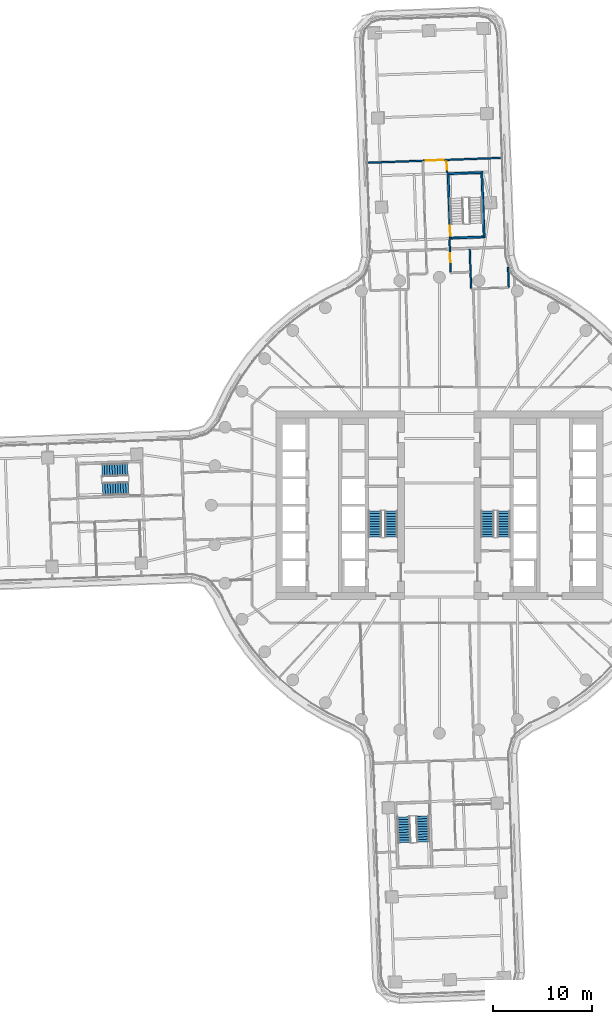
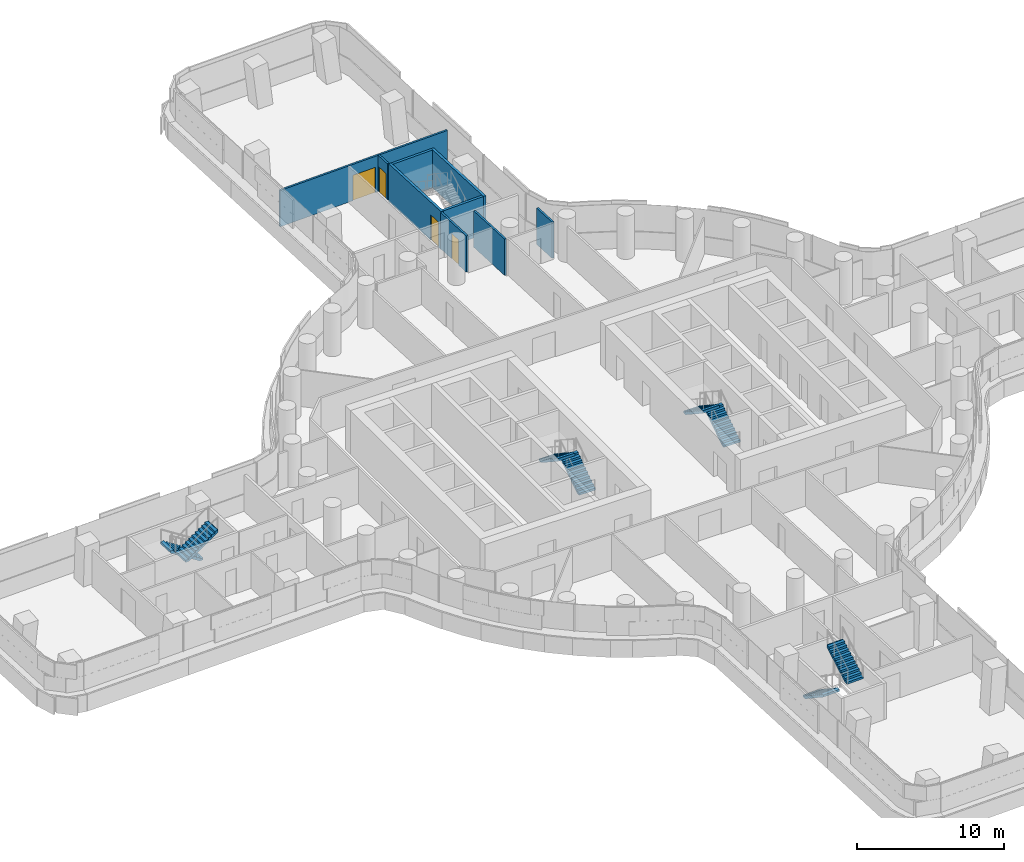
# One storey, part 23 of 31: 9 walls, 8 stair flights, 4 doors, 4 openings, 4 elements without a shape of their own.
"""IFC4 building model written with IfcOpenShell, lengths in metres."""

from ifc_helpers import new_model, si_unit, direction, frame, frame_2d, origin, place, context, subcontext, project, spatial, polyline, rectangle, outline, extrude, material, layer, layer_set, type_object, element, fill, aggregate, save


model = new_model("IFC4")

# Units and contexts
model_context = context("Model", 3, precision=1e-05, world=origin(), true_north=direction((0.0, 1.0)))
body_context = subcontext(model_context, "Body", "Model", "MODEL_VIEW")
ifc_project = project(units=[si_unit("LENGTHUNIT", "METRE"), si_unit("AREAUNIT", "SQUARE_METRE"), si_unit("VOLUMEUNIT", "CUBIC_METRE"), si_unit("PLANEANGLEUNIT", "RADIAN"), si_unit("MASSUNIT", "GRAM", prefix="KILO")], contexts=[model_context])

# Site, building, storey
site_placement = place(None, origin())
site = spatial("IfcSite", under=ifc_project, at=site_placement, CompositionType="ELEMENT")
building_placement = place(site_placement, origin())
building = spatial("IfcBuilding", under=site, at=building_placement, Name="Tamarind Cross Interchange Tower", CompositionType="ELEMENT")
storey_placement = place(building_placement, frame((0.0, 0.0, 41.5)))
storey = spatial("IfcBuildingStorey", under=building, at=storey_placement, Name="L08", CompositionType="ELEMENT", Elevation=41.5)

# Wall, opening, door
ifc_material_1 = material(Name="Gypsum board partition on steel studs", Category="steel")
ifc_layer_1 = layer(ifc_material_1, 0.14990234375)
ifc_layer_set_1 = layer_set([ifc_layer_1], Name="Gypsum board partition on steel studs")
wall_type_1 = type_object("IfcWallType", Name="Partition 150 mm EI 120", PredefinedType="PARTITIONING", material=ifc_layer_set_1)
wall_1_placement = place(storey_placement, frame((0.734130859375, 34.77490234375, 0.0), z_axis=(0.0, 0.0, 1.0), x_axis=(0.036642721002, -0.999328429996, 0.0)))
wall_1 = element("IfcWall", 1, at=wall_1_placement, inside=storey, type_object=wall_type_1, Name="Partition L08-018", PredefinedType="PARTITIONING", context=body_context, shape_type="SweptSolid", body=[
    extrude(rectangle(XDim=1.19921875, YDim=0.14990234375, at=frame_2d((0.599609375, 0.0))), origin(), (0.0, 0.0, 1.0), 3.010009765625),
])
opening_1_placement = place(wall_1_placement, frame((0.090087890625, 0.0, 0.0)))
opening_1 = element("IfcOpeningElement", 2, at=opening_1_placement, cuts=wall_1, Name="Opening D08", PredefinedType="OPENING", context=body_context, shape_type="SweptSolid", body=[
    extrude(rectangle(XDim=0.89990234375, YDim=2.10009765625, at=frame_2d((0.449951171875, 1.050048828125))), frame((0.0, 0.0849609375, 0.0), z_axis=(0.0, -1.0, 0.0), x_axis=(1.0, 0.0, 0.0)), (0.0, 0.0, 1.0), 0.169921875),
])
ifc_material_2 = material(Name="Fire-resisting door set")
door_type_1 = type_object("IfcDoorType", Name="Interior door 900 x 2100 FD60S", OperationType="SINGLE_SWING_LEFT", PredefinedType="DOOR", material=ifc_material_2)
door_1_placement = place(opening_1_placement, origin())
door_1 = element("IfcDoor", 3, at=door_1_placement, inside=storey, type_object=door_type_1, Name="Door D08", OperationType="SINGLE_SWING_RIGHT", OverallHeight=2.10009765625, OverallWidth=0.89990234375, PredefinedType="DOOR", context=body_context, shape_type="SweptSolid", body=[
    extrude(rectangle(XDim=0.89990234375, YDim=2.10009765625, at=frame_2d((0.449951171875, 1.050048828125))), frame((0.0, 0.02490234375, 0.0), z_axis=(0.0, -1.0, 0.0), x_axis=(1.0, 0.0, 0.0)), (0.0, 0.0, 1.0), 0.050048828125),
])
fill(opening_1, door_1)

wall_2_placement = place(storey_placement, frame((1.02587890625, 26.801513671875, 0.0), z_axis=(0.0, 0.0, 1.0), x_axis=(0.036538385879, -0.999332250234, 0.0)))
wall_2 = element("IfcWall", 4, at=wall_2_placement, inside=storey, type_object=wall_type_1, Name="Partition L08-019", PredefinedType="PARTITIONING", context=body_context, shape_type="SweptSolid", body=[
    extrude(rectangle(XDim=3.30078125, YDim=0.14990234375, at=frame_2d((1.650390625, 0.0))), origin(), (0.0, 0.0, 1.0), 3.010009765625),
])
opening_2_placement = place(wall_2_placement, frame((1.410888671875, 0.0, 0.0)))
opening_2 = element("IfcOpeningElement", 5, at=opening_2_placement, cuts=wall_2, Name="Opening D09", PredefinedType="OPENING", context=body_context, shape_type="SweptSolid", body=[
    extrude(rectangle(XDim=0.89990234375, YDim=2.10009765625, at=frame_2d((0.449951171875, 1.050048828125))), frame((0.0, 0.0849609375, 0.0), z_axis=(0.0, -1.0, 0.0), x_axis=(1.0, 0.0, 0.0)), (0.0, 0.0, 1.0), 0.169921875),
])
door_2_placement = place(opening_2_placement, origin())
door_2 = element("IfcDoor", 6, at=door_2_placement, inside=storey, type_object=door_type_1, Name="Door D09", OperationType="SINGLE_SWING_LEFT", OverallHeight=2.10009765625, OverallWidth=0.89990234375, PredefinedType="DOOR", context=body_context, shape_type="SweptSolid", body=[
    extrude(rectangle(XDim=0.89990234375, YDim=2.10009765625, at=frame_2d((0.449951171875, 1.050048828125))), frame((0.0, 0.02490234375, 0.0), z_axis=(0.0, -1.0, 0.0), x_axis=(1.0, 0.0, 0.0)), (0.0, 0.0, 1.0), 0.050048828125),
])
fill(opening_2, door_2)

# Walls
wall_3_placement = place(storey_placement, frame((3.062255859375, 25.82421875, 0.0), z_axis=(0.0, 0.0, 1.0), x_axis=(0.036652742519, -0.999328062483, 0.0)))
element("IfcWall", 7, at=wall_3_placement, inside=storey, type_object=wall_type_1, Name="Partition L08-023", PredefinedType="PARTITIONING", context=body_context, shape_type="SweptSolid", body=[
    extrude(rectangle(XDim=3.949951171875, YDim=0.14990234375, at=frame_2d((1.97509765625, 0.0))), origin(), (0.0, 0.0, 1.0), 3.010009765625),
])
wall_4_placement = place(storey_placement, frame((6.931884765625, 23.98681640625, 0.0), z_axis=(0.0, 0.0, 1.0), x_axis=(0.036409090519, -0.999336969259, 0.0)))
element("IfcWall", 8, at=wall_4_placement, inside=storey, type_object=wall_type_1, Name="Partition L08-025", PredefinedType="PARTITIONING", context=body_context, shape_type="SweptSolid", body=[
    extrude(rectangle(XDim=1.97802734375, YDim=0.14990234375, at=frame_2d((0.989013671875, 0.0))), origin(), (0.0, 0.0, 1.0), 3.010009765625),
])

# Wall, opening, door
wall_5_placement = place(storey_placement, frame((-7.18798828125, 34.5458984375, 0.0), z_axis=(0.0, 0.0, 1.0), x_axis=(0.999331693959, 0.036553596929, 0.0)))
wall_5 = element("IfcWall", 9, at=wall_5_placement, inside=storey, type_object=wall_type_1, Name="Partition L08-052", PredefinedType="PARTITIONING", context=body_context, shape_type="SweptSolid", body=[
    extrude(rectangle(XDim=13.4248046875, YDim=0.14990234375, at=frame_2d((6.71240234375, 0.0))), origin(), (0.0, 0.0, 1.0), 3.010009765625),
])
opening_3_placement = place(wall_5_placement, frame((5.82568359375, 0.0, 0.0)))
opening_3 = element("IfcOpeningElement", 10, at=opening_3_placement, cuts=wall_5, Name="Opening D27", PredefinedType="OPENING", context=body_context, shape_type="SweptSolid", body=[
    extrude(rectangle(XDim=1.800048828125, YDim=2.10009765625, at=frame_2d((0.89990234375, 1.050048828125))), frame((0.0, 0.0849609375, 0.0), z_axis=(0.0, -1.0, 0.0), x_axis=(1.0, 0.0, 0.0)), (0.0, 0.0, 1.0), 0.169921875),
])
door_type_2 = type_object("IfcDoorType", Name="Interior door 1800 x 2100 FD60S", OperationType="DOUBLE_DOOR_SINGLE_SWING", PredefinedType="DOOR", material=ifc_material_2)
door_3_placement = place(opening_3_placement, origin())
door_3 = element("IfcDoor", 11, at=door_3_placement, inside=storey, type_object=door_type_2, Name="Door D27", OperationType="DOUBLE_DOOR_SINGLE_SWING", OverallHeight=2.10009765625, OverallWidth=1.800048828125, PredefinedType="DOOR", context=body_context, shape_type="SweptSolid", body=[
    extrude(rectangle(XDim=1.800048828125, YDim=2.10009765625, at=frame_2d((0.89990234375, 1.050048828125))), frame((0.0, 0.02490234375, 0.0), z_axis=(0.0, -1.0, 0.0), x_axis=(1.0, 0.0, 0.0)), (0.0, 0.0, 1.0), 0.050048828125),
])
fill(opening_3, door_3)

ifc_material_3 = material(Name="Concrete C40", Category="concrete")
ifc_layer_2 = layer(ifc_material_3, 0.199951171875)
ifc_layer_set_2 = layer_set([ifc_layer_2], Name="Concrete C40")
wall_type_2 = type_object("IfcWallType", Name="Stair shaft wall 200 mm Concrete C40", PredefinedType="SHEAR", material=ifc_layer_set_2)
wall_6_placement = place(storey_placement, frame((1.1240234375, 26.84423828125, -0.139892578125), z_axis=(0.0, 0.0, 1.0), x_axis=(-0.036438865415, 0.999335884019, 0.0)))
wall_6 = element("IfcWall", 12, at=wall_6_placement, inside=storey, type_object=wall_type_2, Name="Core wall CWL-L08-ST4-H", PredefinedType="SHEAR", context=body_context, shape_type="SweptSolid", body=[
    extrude(rectangle(XDim=6.699951171875, YDim=0.199951171875, at=frame_2d((3.35009765625, 0.0))), origin(), (0.0, 0.0, 1.0), 3.14990234375),
])
opening_4_placement = place(wall_6_placement, frame((0.35009765625, 0.0, 0.0)))
opening_4 = element("IfcOpeningElement", 13, at=opening_4_placement, cuts=wall_6, Name="Opening ST4L08", PredefinedType="OPENING", context=body_context, shape_type="SweptSolid", body=[
    extrude(rectangle(XDim=1.0, YDim=2.10009765625, at=frame_2d((0.5, 1.050048828125))), frame((0.0, 0.10986328125, 0.0), z_axis=(0.0, -1.0, 0.0), x_axis=(1.0, 0.0, 0.0)), (0.0, 0.0, 1.0), 0.219970703125),
])
ifc_material_4 = material(Name="Steel, fire-resisting", Category="steel")
door_type_3 = type_object("IfcDoorType", Name="Core fire door 1000 x 2100 FD90", OperationType="SINGLE_SWING_LEFT", PredefinedType="DOOR", material=ifc_material_4)
door_4_placement = place(opening_4_placement, origin())
door_4 = element("IfcDoor", 14, at=door_4_placement, inside=storey, type_object=door_type_3, Name="L08 stair door ST4", OperationType="SINGLE_SWING_LEFT", OverallHeight=2.10009765625, OverallWidth=1.0, PredefinedType="DOOR", context=body_context, shape_type="SweptSolid", body=[
    extrude(rectangle(XDim=1.0, YDim=2.10009765625, at=frame_2d((0.5, 1.050048828125))), frame((0.0, 0.02490234375, 0.0), z_axis=(0.0, -1.0, 0.0), x_axis=(1.0, 0.0, 0.0)), (0.0, 0.0, 1.0), 0.050048828125),
])
fill(opening_4, door_4)

# Walls
wall_7_placement = place(storey_placement, frame((4.52197265625, 26.96826171875, -0.139892578125), z_axis=(0.0, 0.0, 1.0), x_axis=(-0.036475255825, 0.999334556449, 0.0)))
element("IfcWall", 15, at=wall_7_placement, inside=storey, type_object=wall_type_2, Name="Core wall CWL-L08-ST4-C", PredefinedType="SHEAR", context=body_context, shape_type="SweptSolid", body=[
    extrude(rectangle(XDim=6.699951171875, YDim=0.199951171875, at=frame_2d((3.35009765625, 0.0))), origin(), (0.0, 0.0, 1.0), 3.14990234375),
])
wall_8_placement = place(storey_placement, frame((4.418212890625, 27.064453125, -0.139892578125), z_axis=(0.0, 0.0, 1.0), x_axis=(-0.999334753975, -0.036469843671, 0.0)))
element("IfcWall", 16, at=wall_8_placement, inside=storey, type_object=wall_type_2, Name="Core wall CWL-L08-ST4-CE", PredefinedType="SHEAR", context=body_context, shape_type="SweptSolid", body=[
    extrude(rectangle(XDim=3.199951171875, YDim=0.199951171875, at=frame_2d((1.60009765625, 0.0))), origin(), (0.0, 0.0, 1.0), 3.14990234375),
])
wall_9_placement = place(storey_placement, frame((0.0, 0.0, -0.139892578125)))
element("IfcWall", 17, at=wall_9_placement, inside=storey, type_object=wall_type_2, Name="Core wall CWL-L08-ST4-CF", PredefinedType="SHEAR", context=body_context, shape_type="SweptSolid", body=[
    extrude(outline(polyline([(4.184814453125, 33.460205078125), (4.177490234375, 33.66015625), (0.979736328125, 33.54345703125), (0.987060546875, 33.343505859375), (4.184814453125, 33.460205078125)])), origin(), (0.0, 0.0, 1.0), 3.14990234375),
])

# Stair, stair flights
ifc_material_5 = material(Name="Exit stair")
stair_type = type_object("IfcStairType", Name="Exit stair", PredefinedType="HALF_TURN_STAIR", material=ifc_material_5)
stair_1_placement = place(storey_placement, origin())
stair_1 = element("IfcStair", 18, at=stair_1_placement, inside=storey, type_object=stair_type, Name="L08 exit stair ST1", PredefinedType="HALF_TURN_STAIR")
ifc_material_6 = material(Name="Exit stair flight")
stair_flight_type = type_object("IfcStairFlightType", Name="Exit stair flight", PredefinedType="STRAIGHT", material=ifc_material_6)
stair_flight_1_placement = place(storey_placement, frame((-4.85009765625, -3.199951171875, 0.0), z_axis=(0.0, 0.0, 1.0), x_axis=(0.0, 1.0, 0.0)))
stair_flight_1 = element("IfcStairFlight", 19, at=stair_flight_1_placement, type_object=stair_flight_type, Name="ST1 flight 1", NumberOfRisers=11, NumberOfTreads=10, PredefinedType="STRAIGHT", RiserHeight=0.170454545, TreadLength=0.26, context=body_context, shape_type="SweptSolid", body=[
    extrude(outline(polyline([(0.0, 0.0), (0.0, 0.17041015625), (0.260009765625, 0.17041015625), (0.260009765625, 0.3408203125), (0.52001953125, 0.3408203125), (0.52001953125, 0.511474609375), (0.780029296875, 0.511474609375), (0.780029296875, 0.681884765625), (1.0400390625, 0.681884765625), (1.0400390625, 0.852294921875), (1.300048828125, 0.852294921875), (1.300048828125, 1.022705078125), (1.56005859375, 1.022705078125), (1.56005859375, 1.193115234375), (1.820068359375, 1.193115234375), (1.820068359375, 1.363525390625), (2.080078125, 1.363525390625), (2.080078125, 1.5341796875), (2.340087890625, 1.5341796875), (2.340087890625, 1.70458984375), (2.60009765625, 1.70458984375), (2.60009765625, 1.875), (2.60009765625, 1.525390625), (0.2734375, 0.0), (0.0, 0.0)])), frame((0.0, 0.64990234375, 0.0), z_axis=(0.0, -1.0, 0.0), x_axis=(1.0, 0.0, 0.0)), (0.0, 0.0, 1.0), 1.300048828125),
])
stair_flight_2_placement = place(storey_placement, frame((-6.5, -0.60009765625, 1.875), z_axis=(0.0, 0.0, 1.0), x_axis=(0.0, -1.0, 0.0)))
stair_flight_2 = element("IfcStairFlight", 20, at=stair_flight_2_placement, type_object=stair_flight_type, Name="ST1 flight 2", NumberOfRisers=11, NumberOfTreads=10, PredefinedType="STRAIGHT", RiserHeight=0.170454545, TreadLength=0.26, context=body_context, shape_type="SweptSolid", body=[
    extrude(outline(polyline([(0.0, 0.0), (0.0, 0.17041015625), (0.260009765625, 0.17041015625), (0.260009765625, 0.3408203125), (0.52001953125, 0.3408203125), (0.52001953125, 0.511474609375), (0.780029296875, 0.511474609375), (0.780029296875, 0.681884765625), (1.0400390625, 0.681884765625), (1.0400390625, 0.852294921875), (1.300048828125, 0.852294921875), (1.300048828125, 1.022705078125), (1.56005859375, 1.022705078125), (1.56005859375, 1.193115234375), (1.820068359375, 1.193115234375), (1.820068359375, 1.363525390625), (2.080078125, 1.363525390625), (2.080078125, 1.5341796875), (2.340087890625, 1.5341796875), (2.340087890625, 1.70458984375), (2.60009765625, 1.70458984375), (2.60009765625, 1.7548828125), (2.612060546875, 1.7548828125), (2.612060546875, 1.533203125), (0.2734375, 0.0), (0.0, 0.0)])), frame((0.0, 0.64990234375, 0.0), z_axis=(0.0, -1.0, 0.0), x_axis=(1.0, 0.0, 0.0)), (0.0, 0.0, 1.0), 1.300048828125),
])
aggregate(stair_1, [stair_flight_1, stair_flight_2])

stair_2_placement = place(storey_placement, origin())
stair_2 = element("IfcStair", 21, at=stair_2_placement, inside=storey, type_object=stair_type, Name="L08 exit stair ST2", PredefinedType="HALF_TURN_STAIR")
stair_flight_3_placement = place(storey_placement, frame((6.5, -3.199951171875, 0.0), z_axis=(0.0, 0.0, 1.0), x_axis=(0.0, 1.0, 0.0)))
stair_flight_3 = element("IfcStairFlight", 22, at=stair_flight_3_placement, type_object=stair_flight_type, Name="ST2 flight 1", NumberOfRisers=11, NumberOfTreads=10, PredefinedType="STRAIGHT", RiserHeight=0.170454545, TreadLength=0.26, context=body_context, shape_type="SweptSolid", body=[
    extrude(outline(polyline([(0.0, 0.0), (0.0, 0.17041015625), (0.260009765625, 0.17041015625), (0.260009765625, 0.3408203125), (0.52001953125, 0.3408203125), (0.52001953125, 0.511474609375), (0.780029296875, 0.511474609375), (0.780029296875, 0.681884765625), (1.0400390625, 0.681884765625), (1.0400390625, 0.852294921875), (1.300048828125, 0.852294921875), (1.300048828125, 1.022705078125), (1.56005859375, 1.022705078125), (1.56005859375, 1.193115234375), (1.820068359375, 1.193115234375), (1.820068359375, 1.363525390625), (2.080078125, 1.363525390625), (2.080078125, 1.5341796875), (2.340087890625, 1.5341796875), (2.340087890625, 1.70458984375), (2.60009765625, 1.70458984375), (2.60009765625, 1.875), (2.60009765625, 1.525390625), (0.2734375, 0.0), (0.0, 0.0)])), frame((0.0, 0.64990234375, 0.0), z_axis=(0.0, -1.0, 0.0), x_axis=(1.0, 0.0, 0.0)), (0.0, 0.0, 1.0), 1.300048828125),
])
stair_flight_4_placement = place(storey_placement, frame((4.85009765625, -0.60009765625, 1.875), z_axis=(0.0, 0.0, 1.0), x_axis=(0.0, -1.0, 0.0)))
stair_flight_4 = element("IfcStairFlight", 23, at=stair_flight_4_placement, type_object=stair_flight_type, Name="ST2 flight 2", NumberOfRisers=11, NumberOfTreads=10, PredefinedType="STRAIGHT", RiserHeight=0.170454545, TreadLength=0.26, context=body_context, shape_type="SweptSolid", body=[
    extrude(outline(polyline([(0.0, 0.0), (0.0, 0.17041015625), (0.260009765625, 0.17041015625), (0.260009765625, 0.3408203125), (0.52001953125, 0.3408203125), (0.52001953125, 0.511474609375), (0.780029296875, 0.511474609375), (0.780029296875, 0.681884765625), (1.0400390625, 0.681884765625), (1.0400390625, 0.852294921875), (1.300048828125, 0.852294921875), (1.300048828125, 1.022705078125), (1.56005859375, 1.022705078125), (1.56005859375, 1.193115234375), (1.820068359375, 1.193115234375), (1.820068359375, 1.363525390625), (2.080078125, 1.363525390625), (2.080078125, 1.5341796875), (2.340087890625, 1.5341796875), (2.340087890625, 1.70458984375), (2.60009765625, 1.70458984375), (2.60009765625, 1.7548828125), (2.612060546875, 1.7548828125), (2.612060546875, 1.533203125), (0.2734375, 0.0), (0.0, 0.0)])), frame((0.0, 0.64990234375, 0.0), z_axis=(0.0, -1.0, 0.0), x_axis=(1.0, 0.0, 0.0)), (0.0, 0.0, 1.0), 1.300048828125),
])
aggregate(stair_2, [stair_flight_3, stair_flight_4])

stair_3_placement = place(storey_placement, origin())
stair_3 = element("IfcStair", 24, at=stair_3_placement, inside=storey, type_object=stair_type, Name="L08 exit stair ST5", PredefinedType="HALF_TURN_STAIR")
stair_flight_5_placement = place(storey_placement, frame((-31.437744140625, 3.608154296875, 0.0), z_axis=(0.0, 0.0, 1.0), x_axis=(-0.999335028671, -0.036462315768, 0.0)))
stair_flight_5 = element("IfcStairFlight", 25, at=stair_flight_5_placement, type_object=stair_flight_type, Name="ST5 flight 1", NumberOfRisers=11, NumberOfTreads=10, PredefinedType="STRAIGHT", RiserHeight=0.170454545, TreadLength=0.26, context=body_context, shape_type="SweptSolid", body=[
    extrude(outline(polyline([(0.0, 0.0), (0.0, 0.17041015625), (0.260009765625, 0.17041015625), (0.260009765625, 0.3408203125), (0.52001953125, 0.3408203125), (0.52001953125, 0.511474609375), (0.780029296875, 0.511474609375), (0.780029296875, 0.681884765625), (1.0400390625, 0.681884765625), (1.0400390625, 0.852294921875), (1.300048828125, 0.852294921875), (1.300048828125, 1.022705078125), (1.56005859375, 1.022705078125), (1.56005859375, 1.193115234375), (1.820068359375, 1.193115234375), (1.820068359375, 1.363525390625), (2.080078125, 1.363525390625), (2.080078125, 1.5341796875), (2.340087890625, 1.5341796875), (2.340087890625, 1.70458984375), (2.60009765625, 1.70458984375), (2.60009765625, 1.875), (2.60009765625, 1.525390625), (0.2734375, 0.0), (0.0, 0.0)])), frame((0.0, 0.64990234375, 0.0), z_axis=(0.0, -1.0, 0.0), x_axis=(1.0, 0.0, 0.0)), (0.0, 0.0, 1.0), 1.300048828125),
])
stair_flight_6_placement = place(storey_placement, frame((-33.966796875, 1.61474609375, 1.875), z_axis=(0.0, 0.0, 1.0), x_axis=(0.999335028671, 0.036462315768, 0.0)))
stair_flight_6 = element("IfcStairFlight", 26, at=stair_flight_6_placement, type_object=stair_flight_type, Name="ST5 flight 2", NumberOfRisers=11, NumberOfTreads=10, PredefinedType="STRAIGHT", RiserHeight=0.170454545, TreadLength=0.26, context=body_context, shape_type="SweptSolid", body=[
    extrude(outline(polyline([(0.0, 0.0), (0.0, 0.17041015625), (0.260009765625, 0.17041015625), (0.260009765625, 0.3408203125), (0.52001953125, 0.3408203125), (0.52001953125, 0.511474609375), (0.780029296875, 0.511474609375), (0.780029296875, 0.681884765625), (1.0400390625, 0.681884765625), (1.0400390625, 0.852294921875), (1.300048828125, 0.852294921875), (1.300048828125, 1.022705078125), (1.56005859375, 1.022705078125), (1.56005859375, 1.193115234375), (1.820068359375, 1.193115234375), (1.820068359375, 1.363525390625), (2.080078125, 1.363525390625), (2.080078125, 1.5341796875), (2.340087890625, 1.5341796875), (2.340087890625, 1.70458984375), (2.60009765625, 1.70458984375), (2.60009765625, 1.7548828125), (2.612060546875, 1.7548828125), (2.612060546875, 1.533203125), (0.2734375, 0.0), (0.0, 0.0)])), frame((0.0, 0.64990234375, 0.0), z_axis=(0.0, -1.0, 0.0), x_axis=(1.0, 0.0, 0.0)), (0.0, 0.0, 1.0), 1.300048828125),
])
aggregate(stair_3, [stair_flight_5, stair_flight_6])

stair_4_placement = place(storey_placement, origin())
stair_4 = element("IfcStair", 27, at=stair_4_placement, inside=storey, type_object=stair_type, Name="L08 exit stair ST6", PredefinedType="HALF_TURN_STAIR")
stair_flight_7_placement = place(storey_placement, frame((-3.608154296875, -31.437744140625, 0.0), z_axis=(0.0, 0.0, 1.0), x_axis=(0.036462315768, -0.999335028671, 0.0)))
stair_flight_7 = element("IfcStairFlight", 28, at=stair_flight_7_placement, type_object=stair_flight_type, Name="ST6 flight 1", NumberOfRisers=11, NumberOfTreads=10, PredefinedType="STRAIGHT", RiserHeight=0.170454545, TreadLength=0.26, context=body_context, shape_type="SweptSolid", body=[
    extrude(outline(polyline([(0.0, 0.0), (0.0, 0.17041015625), (0.260009765625, 0.17041015625), (0.260009765625, 0.3408203125), (0.52001953125, 0.3408203125), (0.52001953125, 0.511474609375), (0.780029296875, 0.511474609375), (0.780029296875, 0.681884765625), (1.0400390625, 0.681884765625), (1.0400390625, 0.852294921875), (1.300048828125, 0.852294921875), (1.300048828125, 1.022705078125), (1.56005859375, 1.022705078125), (1.56005859375, 1.193115234375), (1.820068359375, 1.193115234375), (1.820068359375, 1.363525390625), (2.080078125, 1.363525390625), (2.080078125, 1.5341796875), (2.340087890625, 1.5341796875), (2.340087890625, 1.70458984375), (2.60009765625, 1.70458984375), (2.60009765625, 1.875), (2.60009765625, 1.525390625), (0.2734375, 0.0), (0.0, 0.0)])), frame((0.0, 0.64990234375, 0.0), z_axis=(0.0, -1.0, 0.0), x_axis=(1.0, 0.0, 0.0)), (0.0, 0.0, 1.0), 1.300048828125),
])
stair_flight_8_placement = place(storey_placement, frame((-1.61474609375, -33.966796875, 1.875), z_axis=(0.0, 0.0, 1.0), x_axis=(-0.036462315768, 0.999335028671, 0.0)))
stair_flight_8 = element("IfcStairFlight", 29, at=stair_flight_8_placement, type_object=stair_flight_type, Name="ST6 flight 2", NumberOfRisers=11, NumberOfTreads=10, PredefinedType="STRAIGHT", RiserHeight=0.170454545, TreadLength=0.26, context=body_context, shape_type="SweptSolid", body=[
    extrude(outline(polyline([(0.0, 0.0), (0.0, 0.17041015625), (0.260009765625, 0.17041015625), (0.260009765625, 0.3408203125), (0.52001953125, 0.3408203125), (0.52001953125, 0.511474609375), (0.780029296875, 0.511474609375), (0.780029296875, 0.681884765625), (1.0400390625, 0.681884765625), (1.0400390625, 0.852294921875), (1.300048828125, 0.852294921875), (1.300048828125, 1.022705078125), (1.56005859375, 1.022705078125), (1.56005859375, 1.193115234375), (1.820068359375, 1.193115234375), (1.820068359375, 1.363525390625), (2.080078125, 1.363525390625), (2.080078125, 1.5341796875), (2.340087890625, 1.5341796875), (2.340087890625, 1.70458984375), (2.60009765625, 1.70458984375), (2.60009765625, 1.7548828125), (2.612060546875, 1.7548828125), (2.612060546875, 1.533203125), (0.2734375, 0.0), (0.0, 0.0)])), frame((0.0, 0.64990234375, 0.0), z_axis=(0.0, -1.0, 0.0), x_axis=(1.0, 0.0, 0.0)), (0.0, 0.0, 1.0), 1.300048828125),
])
aggregate(stair_4, [stair_flight_7, stair_flight_8])

save(model, "model.ifc")
